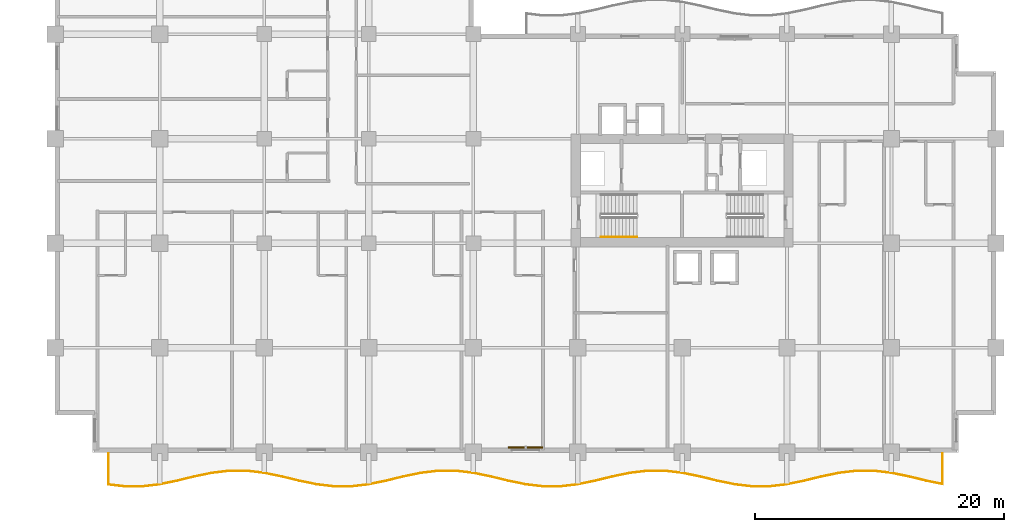
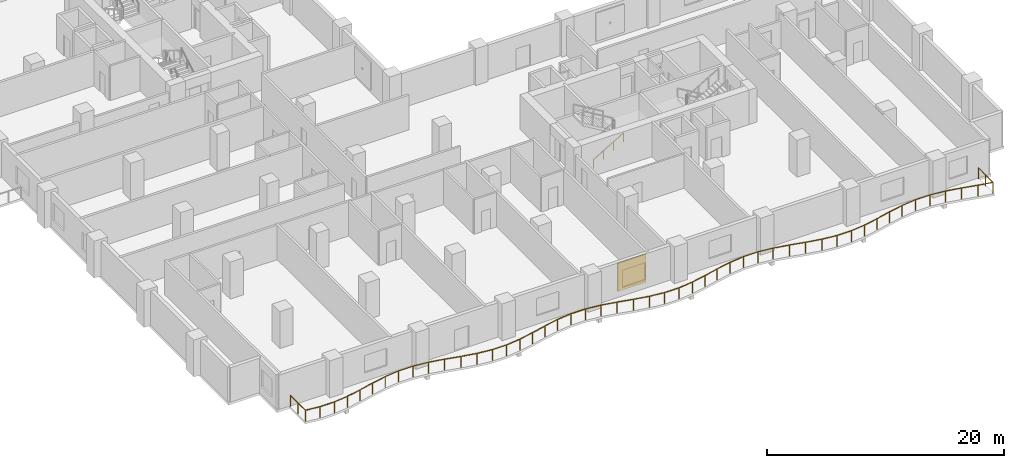
# One storey, part 15 of 18: 2 railings, 1 shading device.
"""IFC4 building model written with IfcOpenShell, lengths in metres."""

from ifc_helpers import new_model, si_unit, direction, frame, origin, origin_2d, place, context, subcontext, project, spatial, rectangle, circle, extrude, material, layer, layer_set, type_object, element, save


model = new_model("IFC4")

# Units and contexts
model_context = context("Model", 3, precision=1e-05, world=origin(), true_north=direction((0.0, 1.0)))
body_context = subcontext(model_context, "Body", "Model", "MODEL_VIEW")
ifc_project = project(units=[si_unit("LENGTHUNIT", "METRE"), si_unit("AREAUNIT", "SQUARE_METRE"), si_unit("VOLUMEUNIT", "CUBIC_METRE"), si_unit("PLANEANGLEUNIT", "RADIAN"), si_unit("MASSUNIT", "GRAM", prefix="KILO")], contexts=[model_context])

# Site, building, storey
site_placement = place(None, origin())
site = spatial("IfcSite", under=ifc_project, at=site_placement, CompositionType="ELEMENT")
building_placement = place(site_placement, origin())
building = spatial("IfcBuilding", under=site, at=building_placement, Name="Koriwani Terraces Tower", CompositionType="ELEMENT")
storey_placement = place(building_placement, frame((0.0, 0.0, 115.199951171875)))
storey = spatial("IfcBuildingStorey", under=building, at=storey_placement, Name="L27", CompositionType="ELEMENT", Elevation=115.199951171875)

# Railings
ifc_material_1 = material(Name="Steel ASTM A572 Grade 50", Category="steel")
railing_type_1 = type_object("IfcRailingType", Name="GUARD_BALUSTRADE_1150", PredefinedType="BALUSTRADE", material=ifc_material_1)
railing_1_placement = place(storey_placement, frame((4.280029296875, -0.080078125, 0.0)))
element("IfcRailing", 1, at=railing_1_placement, inside=storey, type_object=railing_type_1, Name="L27 Balcony Perimeter Safety Balustrade (S)", PredefinedType="BALUSTRADE", context=body_context, shape_type="SweptSolid", body=[
    extrude(circle(Radius=0.02392578125, at=origin_2d()), frame((0.0, 0.0, 1.1259765625), z_axis=(0.0, -1.0, 0.0), x_axis=(1.0, 0.0, 0.0)), (0.0, 0.0, 1.0), 2.508544921875),
    extrude(circle(Radius=0.02392578125, at=origin_2d()), frame((0.0, -2.508544921875, 1.1259765625), z_axis=(0.992857777247, -0.119303957015, 0.0), x_axis=(0.119303957015, 0.992857777247, 0.0)), (0.0, 0.0, 1.0), 1.334228515625),
    extrude(circle(Radius=0.02392578125, at=origin_2d()), frame((1.32470703125, -2.667724609375, 1.1259765625), z_axis=(1.0, 0.0, 0.0), x_axis=(0.0, 1.0, 0.0)), (0.0, 0.0, 1.0), 1.390380859375),
    extrude(circle(Radius=0.02392578125, at=origin_2d()), frame((2.715087890625, -2.667724609375, 1.1259765625), z_axis=(0.992861175138, 0.119275676073, 0.0), x_axis=(-0.119275676073, 0.992861175138, 0.0)), (0.0, 0.0, 1.0), 1.402099609375),
    extrude(circle(Radius=0.02392578125, at=origin_2d()), frame((4.107177734375, -2.50048828125, 1.1259765625), z_axis=(0.979001791719, 0.20385164167, 0.0), x_axis=(-0.20385164167, 0.979001791719, 0.0)), (0.0, 0.0, 1.0), 1.42529296875),
    extrude(circle(Radius=0.02392578125, at=origin_2d()), frame((5.50244140625, -2.2099609375, 1.1259765625), z_axis=(0.972325709638, 0.233629438166, 0.0), x_axis=(-0.233629438166, 0.972325709638, 0.0)), (0.0, 0.0, 1.0), 1.43994140625),
    extrude(circle(Radius=0.02392578125, at=origin_2d()), frame((6.902587890625, -1.87353515625, 1.1259765625), z_axis=(0.979066698056, 0.203539678581, 0.0), x_axis=(-0.203539678581, 0.979066698056, 0.0)), (0.0, 0.0, 1.0), 1.4345703125),
    extrude(circle(Radius=0.02392578125, at=origin_2d()), frame((8.30712890625, -1.58154296875, 1.1259765625), z_axis=(0.992857273618, 0.119308148191, 0.0), x_axis=(-0.119308148191, 0.992857273618, 0.0)), (0.0, 0.0, 1.0), 1.41796875),
    extrude(circle(Radius=0.02392578125, at=origin_2d()), frame((9.715087890625, -1.412353515625, 1.1259765625), z_axis=(1.0, 0.0, 0.0), x_axis=(0.0, 1.0, 0.0)), (0.0, 0.0, 1.0), 1.40966796875),
    extrude(circle(Radius=0.02392578125, at=origin_2d()), frame((11.124755859375, -1.412353515625, 1.1259765625), z_axis=(0.992859723616, -0.119287758056, 0.0), x_axis=(0.119287758056, 0.992859723616, 0.0)), (0.0, 0.0, 1.0), 1.418212890625),
    extrude(circle(Radius=0.02392578125, at=origin_2d()), frame((12.532958984375, -1.58154296875, 1.1259765625), z_axis=(0.979066698056, -0.203539678581, 0.0), x_axis=(0.203539678581, 0.979066698056, 0.0)), (0.0, 0.0, 1.0), 1.4345703125),
    extrude(circle(Radius=0.02392578125, at=origin_2d()), frame((13.9375, -1.87353515625, 1.1259765625), z_axis=(0.972316453264, -0.233667958249, 0.0), x_axis=(0.233667958249, 0.972316453264, 0.0)), (0.0, 0.0, 1.0), 1.439697265625),
    extrude(circle(Radius=0.02392578125, at=origin_2d()), frame((15.33740234375, -2.2099609375, 1.1259765625), z_axis=(0.979008908546, -0.203817459967, 0.0), x_axis=(0.203817459967, 0.979008908546, 0.0)), (0.0, 0.0, 1.0), 1.425537109375),
    extrude(circle(Radius=0.02392578125, at=origin_2d()), frame((16.73291015625, -2.50048828125, 1.1259765625), z_axis=(0.992858697273, -0.119296300234, 0.0), x_axis=(0.119296300234, 0.992858697273, 0.0)), (0.0, 0.0, 1.0), 1.40185546875),
    extrude(circle(Radius=0.02392578125, at=origin_2d()), frame((18.124755859375, -2.667724609375, 1.1259765625), z_axis=(1.0, 0.0, 0.0), x_axis=(0.0, 1.0, 0.0)), (0.0, 0.0, 1.0), 1.390380859375),
    extrude(circle(Radius=0.02392578125, at=origin_2d()), frame((19.51513671875, -2.667724609375, 1.1259765625), z_axis=(0.992858697273, 0.119296300234, 0.0), x_axis=(-0.119296300234, 0.992858697273, 0.0)), (0.0, 0.0, 1.0), 1.40185546875),
    extrude(circle(Radius=0.02392578125, at=origin_2d()), frame((20.906982421875, -2.50048828125, 1.1259765625), z_axis=(0.979008908546, 0.203817459967, 0.0), x_axis=(-0.203817459967, 0.979008908546, 0.0)), (0.0, 0.0, 1.0), 1.425537109375),
    extrude(circle(Radius=0.02392578125, at=origin_2d()), frame((22.302490234375, -2.2099609375, 1.1259765625), z_axis=(0.972316453264, 0.233667958249, 0.0), x_axis=(-0.233667958249, 0.972316453264, 0.0)), (0.0, 0.0, 1.0), 1.439697265625),
    extrude(circle(Radius=0.02392578125, at=origin_2d()), frame((23.702392578125, -1.87353515625, 1.1259765625), z_axis=(0.979073746732, 0.203505770089, 0.0), x_axis=(-0.203505770089, 0.979073746732, 0.0)), (0.0, 0.0, 1.0), 1.434814453125),
    extrude(circle(Radius=0.02392578125, at=origin_2d()), frame((25.107177734375, -1.58154296875, 1.1259765625), z_axis=(0.992857273618, 0.119308148191, 0.0), x_axis=(-0.119308148191, 0.992857273618, 0.0)), (0.0, 0.0, 1.0), 1.41796875),
    extrude(circle(Radius=0.02392578125, at=origin_2d()), frame((26.51513671875, -1.412353515625, 1.1259765625), z_axis=(1.0, 0.0, 0.0), x_axis=(0.0, 1.0, 0.0)), (0.0, 0.0, 1.0), 1.40966796875),
    extrude(circle(Radius=0.02392578125, at=origin_2d()), frame((27.9248046875, -1.412353515625, 1.1259765625), z_axis=(0.992857273618, -0.119308148191, 0.0), x_axis=(0.119308148191, 0.992857273618, 0.0)), (0.0, 0.0, 1.0), 1.41796875),
    extrude(circle(Radius=0.02392578125, at=origin_2d()), frame((29.332763671875, -1.58154296875, 1.1259765625), z_axis=(0.979073746732, -0.203505770089, 0.0), x_axis=(0.203505770089, 0.979073746732, 0.0)), (0.0, 0.0, 1.0), 1.434814453125),
    extrude(circle(Radius=0.02392578125, at=origin_2d()), frame((30.737548828125, -1.87353515625, 1.1259765625), z_axis=(0.972316453264, -0.233667958249, 0.0), x_axis=(0.233667958249, 0.972316453264, 0.0)), (0.0, 0.0, 1.0), 1.439697265625),
    extrude(circle(Radius=0.02392578125, at=origin_2d()), frame((32.137451171875, -2.2099609375, 1.1259765625), z_axis=(0.979008908546, -0.203817459967, 0.0), x_axis=(0.203817459967, 0.979008908546, 0.0)), (0.0, 0.0, 1.0), 1.425537109375),
    extrude(circle(Radius=0.02392578125, at=origin_2d()), frame((33.532958984375, -2.50048828125, 1.1259765625), z_axis=(0.992858697273, -0.119296300234, 0.0), x_axis=(0.119296300234, 0.992858697273, 0.0)), (0.0, 0.0, 1.0), 1.40185546875),
    extrude(circle(Radius=0.02392578125, at=origin_2d()), frame((34.9248046875, -2.667724609375, 1.1259765625), z_axis=(1.0, 0.0, 0.0), x_axis=(0.0, 1.0, 0.0)), (0.0, 0.0, 1.0), 1.390380859375),
    extrude(circle(Radius=0.02392578125, at=origin_2d()), frame((36.315185546875, -2.667724609375, 1.1259765625), z_axis=(0.992858697273, 0.119296300234, 0.0), x_axis=(-0.119296300234, 0.992858697273, 0.0)), (0.0, 0.0, 1.0), 1.40185546875),
    extrude(circle(Radius=0.02392578125, at=origin_2d()), frame((37.70703125, -2.50048828125, 1.1259765625), z_axis=(0.979008908546, 0.203817459967, 0.0), x_axis=(-0.203817459967, 0.979008908546, 0.0)), (0.0, 0.0, 1.0), 1.425537109375),
    extrude(circle(Radius=0.02392578125, at=origin_2d()), frame((39.1025390625, -2.2099609375, 1.1259765625), z_axis=(0.972316453264, 0.233667958249, 0.0), x_axis=(-0.233667958249, 0.972316453264, 0.0)), (0.0, 0.0, 1.0), 1.439697265625),
    extrude(circle(Radius=0.02392578125, at=origin_2d()), frame((40.50244140625, -1.87353515625, 1.1259765625), z_axis=(0.979066698056, 0.203539678581, 0.0), x_axis=(-0.203539678581, 0.979066698056, 0.0)), (0.0, 0.0, 1.0), 1.4345703125),
    extrude(circle(Radius=0.02392578125, at=origin_2d()), frame((41.906982421875, -1.58154296875, 1.1259765625), z_axis=(0.992859723616, 0.119287758056, 0.0), x_axis=(-0.119287758056, 0.992859723616, 0.0)), (0.0, 0.0, 1.0), 1.418212890625),
    extrude(circle(Radius=0.02392578125, at=origin_2d()), frame((43.315185546875, -1.412353515625, 1.1259765625), z_axis=(1.0, 0.0, 0.0), x_axis=(0.0, 1.0, 0.0)), (0.0, 0.0, 1.0), 1.40966796875),
    extrude(circle(Radius=0.02392578125, at=origin_2d()), frame((44.724853515625, -1.412353515625, 1.1259765625), z_axis=(0.992857273618, -0.119308148191, 0.0), x_axis=(0.119308148191, 0.992857273618, 0.0)), (0.0, 0.0, 1.0), 1.41796875),
    extrude(circle(Radius=0.02392578125, at=origin_2d()), frame((46.1328125, -1.58154296875, 1.1259765625), z_axis=(0.979066698056, -0.203539678581, 0.0), x_axis=(0.203539678581, 0.979066698056, 0.0)), (0.0, 0.0, 1.0), 1.4345703125),
    extrude(circle(Radius=0.02392578125, at=origin_2d()), frame((47.537353515625, -1.87353515625, 1.1259765625), z_axis=(0.972325709638, -0.233629438166, 0.0), x_axis=(0.233629438166, 0.972325709638, 0.0)), (0.0, 0.0, 1.0), 1.43994140625),
    extrude(circle(Radius=0.02392578125, at=origin_2d()), frame((48.9375, -2.2099609375, 1.1259765625), z_axis=(0.979001791719, -0.20385164167, 0.0), x_axis=(0.20385164167, 0.979001791719, 0.0)), (0.0, 0.0, 1.0), 1.42529296875),
    extrude(circle(Radius=0.02392578125, at=origin_2d()), frame((50.332763671875, -2.50048828125, 1.1259765625), z_axis=(0.992861175138, -0.119275676073, 0.0), x_axis=(0.119275676073, 0.992861175138, 0.0)), (0.0, 0.0, 1.0), 1.402099609375),
    extrude(circle(Radius=0.02392578125, at=origin_2d()), frame((51.724853515625, -2.667724609375, 1.1259765625), z_axis=(1.0, 0.0, 0.0), x_axis=(0.0, 1.0, 0.0)), (0.0, 0.0, 1.0), 1.390380859375),
    extrude(circle(Radius=0.02392578125, at=origin_2d()), frame((53.115234375, -2.667724609375, 1.1259765625), z_axis=(0.992858697273, 0.119296300234, 0.0), x_axis=(-0.119296300234, 0.992858697273, 0.0)), (0.0, 0.0, 1.0), 1.40185546875),
    extrude(circle(Radius=0.02392578125, at=origin_2d()), frame((54.507080078125, -2.50048828125, 1.1259765625), z_axis=(0.979008908546, 0.203817459967, 0.0), x_axis=(-0.203817459967, 0.979008908546, 0.0)), (0.0, 0.0, 1.0), 1.425537109375),
    extrude(circle(Radius=0.02392578125, at=origin_2d()), frame((55.902587890625, -2.2099609375, 1.1259765625), z_axis=(0.972316453264, 0.233667958249, 0.0), x_axis=(-0.233667958249, 0.972316453264, 0.0)), (0.0, 0.0, 1.0), 1.439697265625),
    extrude(circle(Radius=0.02392578125, at=origin_2d()), frame((57.302490234375, -1.87353515625, 1.1259765625), z_axis=(0.979066698056, 0.203539678581, 0.0), x_axis=(-0.203539678581, 0.979066698056, 0.0)), (0.0, 0.0, 1.0), 1.4345703125),
    extrude(circle(Radius=0.02392578125, at=origin_2d()), frame((58.70703125, -1.58154296875, 1.1259765625), z_axis=(0.992859723616, 0.119287758056, 0.0), x_axis=(-0.119287758056, 0.992859723616, 0.0)), (0.0, 0.0, 1.0), 1.418212890625),
    extrude(circle(Radius=0.02392578125, at=origin_2d()), frame((60.115234375, -1.412353515625, 1.1259765625), z_axis=(1.0, 0.0, 0.0), x_axis=(0.0, 1.0, 0.0)), (0.0, 0.0, 1.0), 1.409423828125),
    extrude(circle(Radius=0.02392578125, at=origin_2d()), frame((61.524658203125, -1.412353515625, 1.1259765625), z_axis=(0.992859723616, -0.119287758056, 0.0), x_axis=(0.119287758056, 0.992859723616, 0.0)), (0.0, 0.0, 1.0), 1.418212890625),
    extrude(circle(Radius=0.02392578125, at=origin_2d()), frame((62.932861328125, -1.58154296875, 1.1259765625), z_axis=(0.979066698056, -0.203539678581, 0.0), x_axis=(0.203539678581, 0.979066698056, 0.0)), (0.0, 0.0, 1.0), 1.4345703125),
    extrude(circle(Radius=0.02392578125, at=origin_2d()), frame((64.33740234375, -1.87353515625, 1.1259765625), z_axis=(0.972325709638, -0.233629438166, 0.0), x_axis=(0.233629438166, 0.972325709638, 0.0)), (0.0, 0.0, 1.0), 1.43994140625),
    extrude(circle(Radius=0.02392578125, at=origin_2d()), frame((65.737548828125, -2.2099609375, 1.1259765625), z_axis=(0.978997209688, -0.203873645729, 0.0), x_axis=(0.203873645729, 0.978997209688, 0.0)), (0.0, 0.0, 1.0), 1.330322265625),
    extrude(circle(Radius=0.02392578125, at=origin_2d()), frame((67.0400390625, -2.481201171875, 1.1259765625), z_axis=(0.0, 1.0, 0.0), x_axis=(-1.0, 0.0, 0.0)), (0.0, 0.0, 1.0), 2.481201171875),
    extrude(circle(Radius=0.02099609375, at=origin_2d()), origin(), (0.0, 0.0, 1.0), 1.101806640625),
    extrude(circle(Radius=0.02099609375, at=origin_2d()), frame((0.0, -1.25439453125, 0.0)), (0.0, 0.0, 1.0), 1.101806640625),
    extrude(circle(Radius=0.02099609375, at=origin_2d()), frame((0.0, -2.508544921875, 0.0)), (0.0, 0.0, 1.0), 1.101806640625),
    extrude(circle(Radius=0.02099609375, at=origin_2d()), frame((1.32470703125, -2.667724609375, 0.0)), (0.0, 0.0, 1.0), 1.101806640625),
    extrude(circle(Radius=0.02099609375, at=origin_2d()), frame((2.715087890625, -2.667724609375, 0.0)), (0.0, 0.0, 1.0), 1.101806640625),
    extrude(circle(Radius=0.02099609375, at=origin_2d()), frame((4.107177734375, -2.50048828125, 0.0)), (0.0, 0.0, 1.0), 1.101806640625),
    extrude(circle(Radius=0.02099609375, at=origin_2d()), frame((5.50244140625, -2.2099609375, 0.0)), (0.0, 0.0, 1.0), 1.101806640625),
    extrude(circle(Radius=0.02099609375, at=origin_2d()), frame((6.902587890625, -1.87353515625, 0.0)), (0.0, 0.0, 1.0), 1.101806640625),
    extrude(circle(Radius=0.02099609375, at=origin_2d()), frame((8.30712890625, -1.58154296875, 0.0)), (0.0, 0.0, 1.0), 1.101806640625),
    extrude(circle(Radius=0.02099609375, at=origin_2d()), frame((9.715087890625, -1.412353515625, 0.0)), (0.0, 0.0, 1.0), 1.101806640625),
    extrude(circle(Radius=0.02099609375, at=origin_2d()), frame((11.124755859375, -1.412353515625, 0.0)), (0.0, 0.0, 1.0), 1.101806640625),
    extrude(circle(Radius=0.02099609375, at=origin_2d()), frame((12.532958984375, -1.58154296875, 0.0)), (0.0, 0.0, 1.0), 1.101806640625),
    extrude(circle(Radius=0.02099609375, at=origin_2d()), frame((13.9375, -1.87353515625, 0.0)), (0.0, 0.0, 1.0), 1.101806640625),
    extrude(circle(Radius=0.02099609375, at=origin_2d()), frame((15.33740234375, -2.2099609375, 0.0)), (0.0, 0.0, 1.0), 1.101806640625),
    extrude(circle(Radius=0.02099609375, at=origin_2d()), frame((16.73291015625, -2.50048828125, 0.0)), (0.0, 0.0, 1.0), 1.101806640625),
    extrude(circle(Radius=0.02099609375, at=origin_2d()), frame((18.124755859375, -2.667724609375, 0.0)), (0.0, 0.0, 1.0), 1.101806640625),
    extrude(circle(Radius=0.02099609375, at=origin_2d()), frame((19.51513671875, -2.667724609375, 0.0)), (0.0, 0.0, 1.0), 1.101806640625),
    extrude(circle(Radius=0.02099609375, at=origin_2d()), frame((20.906982421875, -2.50048828125, 0.0)), (0.0, 0.0, 1.0), 1.101806640625),
    extrude(circle(Radius=0.02099609375, at=origin_2d()), frame((22.302490234375, -2.2099609375, 0.0)), (0.0, 0.0, 1.0), 1.101806640625),
    extrude(circle(Radius=0.02099609375, at=origin_2d()), frame((23.702392578125, -1.87353515625, 0.0)), (0.0, 0.0, 1.0), 1.101806640625),
    extrude(circle(Radius=0.02099609375, at=origin_2d()), frame((25.107177734375, -1.58154296875, 0.0)), (0.0, 0.0, 1.0), 1.101806640625),
    extrude(circle(Radius=0.02099609375, at=origin_2d()), frame((26.51513671875, -1.412353515625, 0.0)), (0.0, 0.0, 1.0), 1.101806640625),
    extrude(circle(Radius=0.02099609375, at=origin_2d()), frame((27.9248046875, -1.412353515625, 0.0)), (0.0, 0.0, 1.0), 1.101806640625),
    extrude(circle(Radius=0.02099609375, at=origin_2d()), frame((29.332763671875, -1.58154296875, 0.0)), (0.0, 0.0, 1.0), 1.101806640625),
    extrude(circle(Radius=0.02099609375, at=origin_2d()), frame((30.737548828125, -1.87353515625, 0.0)), (0.0, 0.0, 1.0), 1.101806640625),
    extrude(circle(Radius=0.02099609375, at=origin_2d()), frame((32.137451171875, -2.2099609375, 0.0)), (0.0, 0.0, 1.0), 1.101806640625),
    extrude(circle(Radius=0.02099609375, at=origin_2d()), frame((33.532958984375, -2.50048828125, 0.0)), (0.0, 0.0, 1.0), 1.101806640625),
    extrude(circle(Radius=0.02099609375, at=origin_2d()), frame((34.9248046875, -2.667724609375, 0.0)), (0.0, 0.0, 1.0), 1.101806640625),
    extrude(circle(Radius=0.02099609375, at=origin_2d()), frame((36.315185546875, -2.667724609375, 0.0)), (0.0, 0.0, 1.0), 1.101806640625),
    extrude(circle(Radius=0.02099609375, at=origin_2d()), frame((37.70703125, -2.50048828125, 0.0)), (0.0, 0.0, 1.0), 1.101806640625),
    extrude(circle(Radius=0.02099609375, at=origin_2d()), frame((39.1025390625, -2.2099609375, 0.0)), (0.0, 0.0, 1.0), 1.101806640625),
    extrude(circle(Radius=0.02099609375, at=origin_2d()), frame((40.50244140625, -1.87353515625, 0.0)), (0.0, 0.0, 1.0), 1.101806640625),
    extrude(circle(Radius=0.02099609375, at=origin_2d()), frame((41.906982421875, -1.58154296875, 0.0)), (0.0, 0.0, 1.0), 1.101806640625),
    extrude(circle(Radius=0.02099609375, at=origin_2d()), frame((43.315185546875, -1.412353515625, 0.0)), (0.0, 0.0, 1.0), 1.101806640625),
    extrude(circle(Radius=0.02099609375, at=origin_2d()), frame((44.724853515625, -1.412353515625, 0.0)), (0.0, 0.0, 1.0), 1.101806640625),
    extrude(circle(Radius=0.02099609375, at=origin_2d()), frame((46.1328125, -1.58154296875, 0.0)), (0.0, 0.0, 1.0), 1.101806640625),
    extrude(circle(Radius=0.02099609375, at=origin_2d()), frame((47.537353515625, -1.87353515625, 0.0)), (0.0, 0.0, 1.0), 1.101806640625),
    extrude(circle(Radius=0.02099609375, at=origin_2d()), frame((48.9375, -2.2099609375, 0.0)), (0.0, 0.0, 1.0), 1.101806640625),
    extrude(circle(Radius=0.02099609375, at=origin_2d()), frame((50.332763671875, -2.50048828125, 0.0)), (0.0, 0.0, 1.0), 1.101806640625),
    extrude(circle(Radius=0.02099609375, at=origin_2d()), frame((51.724853515625, -2.667724609375, 0.0)), (0.0, 0.0, 1.0), 1.101806640625),
    extrude(circle(Radius=0.02099609375, at=origin_2d()), frame((53.115234375, -2.667724609375, 0.0)), (0.0, 0.0, 1.0), 1.101806640625),
    extrude(circle(Radius=0.02099609375, at=origin_2d()), frame((54.507080078125, -2.50048828125, 0.0)), (0.0, 0.0, 1.0), 1.101806640625),
    extrude(circle(Radius=0.02099609375, at=origin_2d()), frame((55.902587890625, -2.2099609375, 0.0)), (0.0, 0.0, 1.0), 1.101806640625),
    extrude(circle(Radius=0.02099609375, at=origin_2d()), frame((57.302490234375, -1.87353515625, 0.0)), (0.0, 0.0, 1.0), 1.101806640625),
    extrude(circle(Radius=0.02099609375, at=origin_2d()), frame((58.70703125, -1.58154296875, 0.0)), (0.0, 0.0, 1.0), 1.101806640625),
    extrude(circle(Radius=0.02099609375, at=origin_2d()), frame((60.115234375, -1.412353515625, 0.0)), (0.0, 0.0, 1.0), 1.101806640625),
    extrude(circle(Radius=0.02099609375, at=origin_2d()), frame((61.524658203125, -1.412353515625, 0.0)), (0.0, 0.0, 1.0), 1.101806640625),
    extrude(circle(Radius=0.02099609375, at=origin_2d()), frame((62.932861328125, -1.58154296875, 0.0)), (0.0, 0.0, 1.0), 1.101806640625),
    extrude(circle(Radius=0.02099609375, at=origin_2d()), frame((64.33740234375, -1.87353515625, 0.0)), (0.0, 0.0, 1.0), 1.101806640625),
    extrude(circle(Radius=0.02099609375, at=origin_2d()), frame((65.737548828125, -2.2099609375, 0.0)), (0.0, 0.0, 1.0), 1.101806640625),
    extrude(circle(Radius=0.02099609375, at=origin_2d()), frame((67.0400390625, -2.481201171875, 0.0)), (0.0, 0.0, 1.0), 1.101806640625),
    extrude(circle(Radius=0.02099609375, at=origin_2d()), frame((67.0400390625, -1.24072265625, 0.0)), (0.0, 0.0, 1.0), 1.101806640625),
    extrude(circle(Radius=0.02099609375, at=origin_2d()), frame((67.0400390625, 0.0, 0.0)), (0.0, 0.0, 1.0), 1.101806640625),
])
railing_type_2 = type_object("IfcRailingType", Name="HANDRAIL_STAIR_920", PredefinedType="HANDRAIL", material=ifc_material_1)
railing_2_placement = place(storey_placement, frame((43.85009765625, 17.300048828125, 0.1728515625)))
element("IfcRailing", 2, at=railing_2_placement, inside=storey, type_object=railing_type_2, Name="L27 ST-E1 stair handrail 1", PredefinedType="HANDRAIL", context=body_context, shape_type="SweptSolid", body=[
    extrude(circle(Radius=0.02392578125, at=origin_2d()), frame((0.0, 0.0, 0.8759765625), z_axis=(0.859141464434, 0.0, 0.511738159696), x_axis=(0.0, 1.0, 0.0)), (0.0, 0.0, 1.0), 3.375244140625),
    extrude(circle(Radius=0.02099609375, at=origin_2d()), origin(), (0.0, 0.0, 1.0), 0.851806640625),
    extrude(circle(Radius=0.02099609375, at=origin_2d()), frame((0.966552734375, 0.0, 0.57568359375)), (0.0, 0.0, 1.0), 0.851806640625),
    extrude(circle(Radius=0.02099609375, at=origin_2d()), frame((1.933349609375, 0.0, 1.151611328125)), (0.0, 0.0, 1.0), 0.851806640625),
    extrude(circle(Radius=0.02099609375, at=origin_2d()), frame((2.89990234375, 0.0, 1.727294921875)), (0.0, 0.0, 1.0), 0.851806640625),
])

# Shading device
ifc_material_2 = material(Name="Extruded Terracotta Clay", Category="masonry")
ifc_layer = layer(ifc_material_2, 0.1201171875, Name="Extruded Terracotta Clay")
ifc_layer_set = layer_set([ifc_layer], Name="Extruded Terracotta Clay")
shading_device_type = type_object("IfcShadingDeviceType", Name="TERRACOTTA_BAGUETTE_SCREEN_2800", PredefinedType="USERDEFINED", material=ifc_layer_set)
shading_device_placement = place(storey_placement, frame((37.800048828125, 0.405029296875, 0.3251953125), z_axis=(0.0, 0.0, 1.0), x_axis=(-1.0, 0.0, 0.0)))
element("IfcShadingDevice", 3, at=shading_device_placement, inside=storey, type_object=shading_device_type, Name="L27 Extruded Terracotta Baguette Screen (S-12)", ObjectType="BAGUETTE", PredefinedType="USERDEFINED", context=body_context, shape_type="SweptSolid", body=[
    extrude(rectangle(XDim=2.760009765625, YDim=0.1201171875, at=origin_2d()), origin(), (0.0, 0.0, 1.0), 2.89990234375),
])

save(model, "model.ifc")
